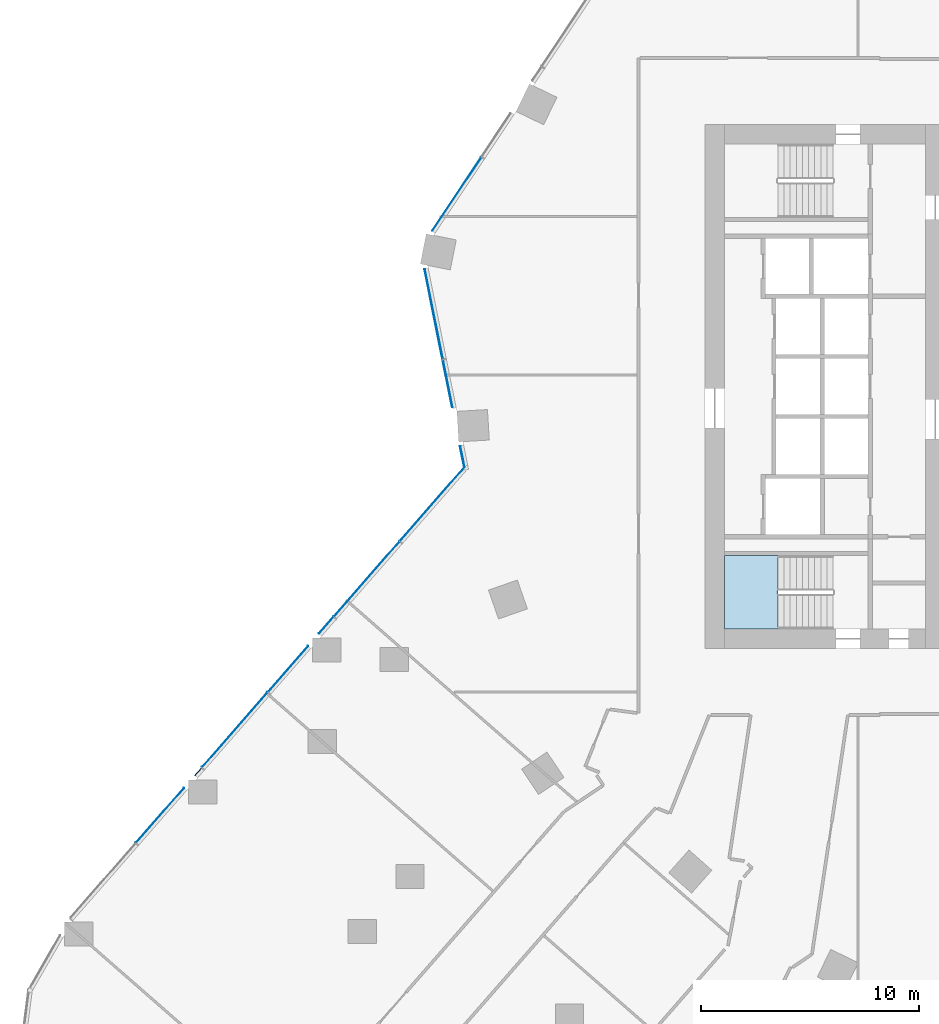
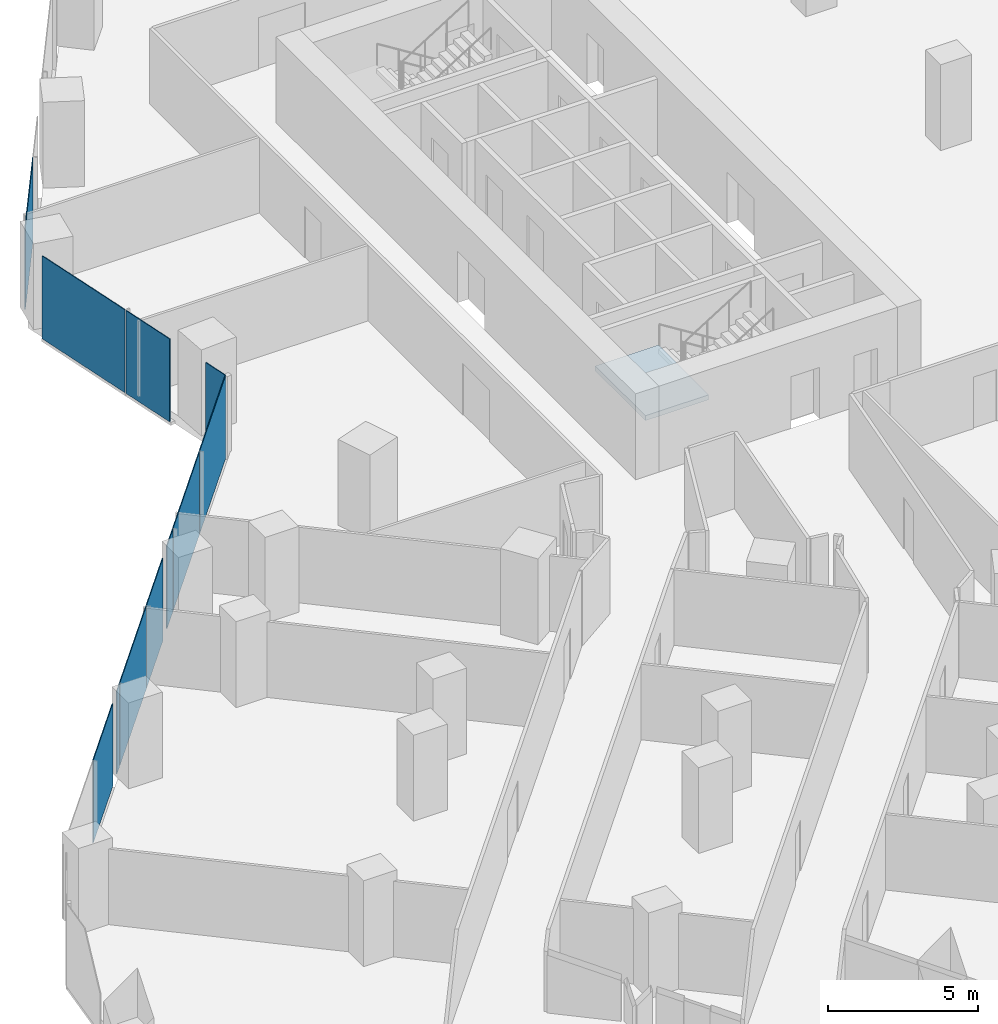
# One storey, part 20 of 38: 11 plates, 1 slab, 4 elements without a shape of their own.
"""IFC4 building model written with IfcOpenShell, lengths in metres."""

from ifc_helpers import new_model, si_unit, direction, frame, origin, origin_2d, place, context, subcontext, project, spatial, polyline, rectangle, outline, extrude, material, layer, layer_set, type_object, element, aggregate, save


model = new_model("IFC4")

# Units and contexts
model_context = context("Model", 3, precision=1e-05, world=origin(), true_north=direction((0.0, 1.0)))
body_context = subcontext(model_context, "Body", "Model", "MODEL_VIEW")
ifc_project = project(units=[si_unit("LENGTHUNIT", "METRE"), si_unit("AREAUNIT", "SQUARE_METRE"), si_unit("VOLUMEUNIT", "CUBIC_METRE"), si_unit("PLANEANGLEUNIT", "RADIAN"), si_unit("MASSUNIT", "GRAM", prefix="KILO")], contexts=[model_context])

# Site, building, storey
site_placement = place(None, origin())
site = spatial("IfcSite", under=ifc_project, at=site_placement, CompositionType="ELEMENT")
building_placement = place(site_placement, origin())
building = spatial("IfcBuilding", under=site, at=building_placement, Name="Orlundy Tower", CompositionType="ELEMENT")
storey_placement = place(building_placement, frame((0.0, 0.0, 62.300048828125)))
storey = spatial("IfcBuildingStorey", under=building, at=storey_placement, Name="L14", CompositionType="ELEMENT", Elevation=62.300048828125)

# Curtain wall, plates
ifc_material_1 = material(Name="Aluminium bronze anodised", Category="aluminium")
curtain_wall_type = type_object("IfcCurtainWallType", Name="CW1 wall", PredefinedType="NOTDEFINED", material=ifc_material_1)
curtain_wall_1_placement = place(storey_placement, origin())
curtain_wall_1 = element("IfcCurtainWall", 1, at=curtain_wall_1_placement, inside=storey, type_object=curtain_wall_type, Name="CW1 run 012", PredefinedType="NOTDEFINED")
ifc_material_2 = material(Name="Tinted glass", Category="glass")
ifc_layer_1 = layer(ifc_material_2, 0.031982421875)
ifc_layer_set_1 = layer_set([ifc_layer_1], Name="CW1 glass panel 32")
plate_type = type_object("IfcPlateType", Name="CW1 glass panel 32", PredefinedType="CURTAIN_PANEL", material=ifc_layer_set_1)
plate_1_placement = place(storey_placement, frame((-43.957275390625, -19.63818359375, -0.280029296875), z_axis=(0.0, 0.0, 1.0), x_axis=(0.658273153933, 0.752779154075, 0.0)))
plate_1 = element("IfcPlate", 2, at=plate_1_placement, type_object=plate_type, Name="CW1 panel", PredefinedType="CURTAIN_PANEL", context=body_context, shape_type="SweptSolid", body=[
    extrude(rectangle(XDim=3.33642578125, YDim=0.031982421875, at=origin_2d()), origin(), (0.0, 0.0, 1.0), 3.3798828125),
])
plate_2_placement = place(storey_placement, frame((-42.218017578125, -17.649169921875, -0.280029296875), z_axis=(0.0, 0.0, 1.0), x_axis=(0.658273153933, 0.752779154075, 0.0)))
plate_2 = element("IfcPlate", 3, at=plate_2_placement, type_object=plate_type, Name="CW1 panel", PredefinedType="CURTAIN_PANEL", context=body_context, shape_type="SweptSolid", body=[
    extrude(rectangle(XDim=0.456787109375, YDim=0.031982421875, at=origin_2d()), origin(), (0.0, 0.0, 1.0), 3.3798828125),
])
plate_3_placement = place(storey_placement, frame((-40.540771484375, -15.731201171875, -0.280029296875), z_axis=(0.0, 0.0, 1.0), x_axis=(0.658273153933, 0.752779154075, 0.0)))
plate_3 = element("IfcPlate", 4, at=plate_3_placement, type_object=plate_type, Name="CW1 panel", PredefinedType="CURTAIN_PANEL", context=body_context, shape_type="SweptSolid", body=[
    extrude(rectangle(XDim=4.538818359375, YDim=0.031982421875, at=origin_2d()), origin(), (0.0, 0.0, 1.0), 3.3798828125),
])
plate_4_placement = place(storey_placement, frame((-38.095458984375, -12.934814453125, -0.280029296875), z_axis=(0.0, 0.0, 1.0), x_axis=(0.658273153933, 0.752779154075, 0.0)))
plate_4 = element("IfcPlate", 5, at=plate_4_placement, type_object=plate_type, Name="CW1 panel", PredefinedType="CURTAIN_PANEL", context=body_context, shape_type="SweptSolid", body=[
    extrude(rectangle(XDim=2.79052734375, YDim=0.031982421875, at=origin_2d()), origin(), (0.0, 0.0, 1.0), 3.3798828125),
])
plate_5_placement = place(storey_placement, frame((-36.355712890625, -10.9453125, -0.280029296875), z_axis=(0.0, 0.0, 1.0), x_axis=(0.658273153933, 0.752779154075, 0.0)))
plate_5 = element("IfcPlate", 6, at=plate_5_placement, type_object=plate_type, Name="CW1 panel", PredefinedType="CURTAIN_PANEL", context=body_context, shape_type="SweptSolid", body=[
    extrude(rectangle(XDim=1.0009765625, YDim=0.031982421875, at=origin_2d()), origin(), (0.0, 0.0, 1.0), 3.3798828125),
])
plate_6_placement = place(storey_placement, frame((-34.49951171875, -8.822509765625, -0.280029296875), z_axis=(0.0, 0.0, 1.0), x_axis=(0.658273153933, 0.752779154075, 0.0)))
plate_6 = element("IfcPlate", 7, at=plate_6_placement, type_object=plate_type, Name="CW1 panel", PredefinedType="CURTAIN_PANEL", context=body_context, shape_type="SweptSolid", body=[
    extrude(rectangle(XDim=4.538818359375, YDim=0.031982421875, at=origin_2d()), origin(), (0.0, 0.0, 1.0), 3.3798828125),
])
plate_7_placement = place(storey_placement, frame((-31.4970703125, -5.38916015625, -0.280029296875), z_axis=(0.0, 0.0, 1.0), x_axis=(0.658273153933, 0.752779154075, 0.0)))
plate_7 = element("IfcPlate", 8, at=plate_7_placement, type_object=plate_type, Name="CW1 panel", PredefinedType="CURTAIN_PANEL", context=body_context, shape_type="SweptSolid", body=[
    extrude(rectangle(XDim=4.48291015625, YDim=0.031982421875, at=origin_2d()), origin(), (0.0, 0.0, 1.0), 3.3798828125),
])
aggregate(curtain_wall_1, [plate_1, plate_2, plate_3, plate_4, plate_5, plate_6, plate_7])

curtain_wall_2_placement = place(storey_placement, origin())
curtain_wall_2 = element("IfcCurtainWall", 9, at=curtain_wall_2_placement, inside=storey, type_object=curtain_wall_type, Name="CW1 run 013", PredefinedType="NOTDEFINED")
plate_8_placement = place(storey_placement, frame((-30.11865234375, -3.21826171875, -0.280029296875), z_axis=(0.0, 0.0, 1.0), x_axis=(-0.196529373401, 0.980497937474, 0.0)))
plate_8 = element("IfcPlate", 10, at=plate_8_placement, type_object=plate_type, Name="CW1 panel", PredefinedType="CURTAIN_PANEL", context=body_context, shape_type="SweptSolid", body=[
    extrude(rectangle(XDim=0.986572265625, YDim=0.031982421875, at=origin_2d()), origin(), (0.0, 0.0, 1.0), 3.3798828125),
])
plate_9_placement = place(storey_placement, frame((-30.789794921875, 0.130126953125, -0.280029296875), z_axis=(0.0, 0.0, 1.0), x_axis=(-0.196529373401, 0.980497937474, 0.0)))
plate_9 = element("IfcPlate", 11, at=plate_9_placement, type_object=plate_type, Name="CW1 panel", PredefinedType="CURTAIN_PANEL", context=body_context, shape_type="SweptSolid", body=[
    extrude(rectangle(XDim=2.209228515625, YDim=0.031982421875, at=origin_2d()), origin(), (0.0, 0.0, 1.0), 3.3798828125),
])
plate_10_placement = place(storey_placement, frame((-31.42822265625, 3.315185546875, -0.280029296875), z_axis=(0.0, 0.0, 1.0), x_axis=(-0.196529373401, 0.980497937474, 0.0)))
plate_10 = element("IfcPlate", 12, at=plate_10_placement, type_object=plate_type, Name="CW1 panel", PredefinedType="CURTAIN_PANEL", context=body_context, shape_type="SweptSolid", body=[
    extrude(rectangle(XDim=4.187255859375, YDim=0.031982421875, at=origin_2d()), origin(), (0.0, 0.0, 1.0), 3.3798828125),
])
aggregate(curtain_wall_2, [plate_8, plate_9, plate_10])

# Curtain wall, plate
curtain_wall_3_placement = place(storey_placement, origin())
curtain_wall_3 = element("IfcCurtainWall", 13, at=curtain_wall_3_placement, inside=storey, type_object=curtain_wall_type, Name="CW1 run 014", PredefinedType="NOTDEFINED")
plate_11_placement = place(storey_placement, frame((-30.37158203125, 8.81494140625, -0.280029296875), z_axis=(0.0, 0.0, 1.0), x_axis=(0.554356579774, 0.832279269513, 0.0)))
plate_11 = element("IfcPlate", 14, at=plate_11_placement, type_object=plate_type, Name="CW1 panel", PredefinedType="CURTAIN_PANEL", context=body_context, shape_type="SweptSolid", body=[
    extrude(rectangle(XDim=4.03955078125, YDim=0.031982421875, at=origin_2d()), origin(), (0.0, 0.0, 1.0), 3.3798828125),
])
aggregate(curtain_wall_3, [plate_11])

# Stair, slab
ifc_material_3 = material(Name="Concrete C50/60", Category="concrete")
stair_type = type_object("IfcStairType", Name="Exit Stair 20 risers", PredefinedType="HALF_TURN_STAIR", material=ifc_material_3)
stair_placement = place(storey_placement, origin())
stair = element("IfcStair", 15, at=stair_placement, inside=storey, type_object=stair_type, Name="L14 Exit Stair ST-W2", PredefinedType="HALF_TURN_STAIR")
ifc_material_4 = material(Name="Concrete C50/60", Category="concrete")
ifc_layer_2 = layer(ifc_material_4, 0.199951171875)
ifc_layer_set_2 = layer_set([ifc_layer_2], Name="Exit Stair Landing")
slab_type = type_object("IfcSlabType", Name="Exit Stair Landing", PredefinedType="LANDING", material=ifc_layer_set_2)
slab_placement = place(storey_placement, frame((0.0, 0.0, 1.550048828125)))
slab = element("IfcSlab", 16, at=slab_placement, type_object=slab_type, Name="ST-W2 landing 1", PredefinedType="LANDING", context=body_context, shape_type="SweptSolid", body=[
    extrude(outline(polyline([(-15.659912109375, -7.75), (-18.10009765625, -7.75), (-18.10009765625, -11.10009765625), (-15.659912109375, -11.10009765625), (-15.659912109375, -7.75)])), origin(), (0.0, 0.0, 1.0), 0.199951171875),
])
aggregate(stair, [slab])

save(model, "model.ifc")
